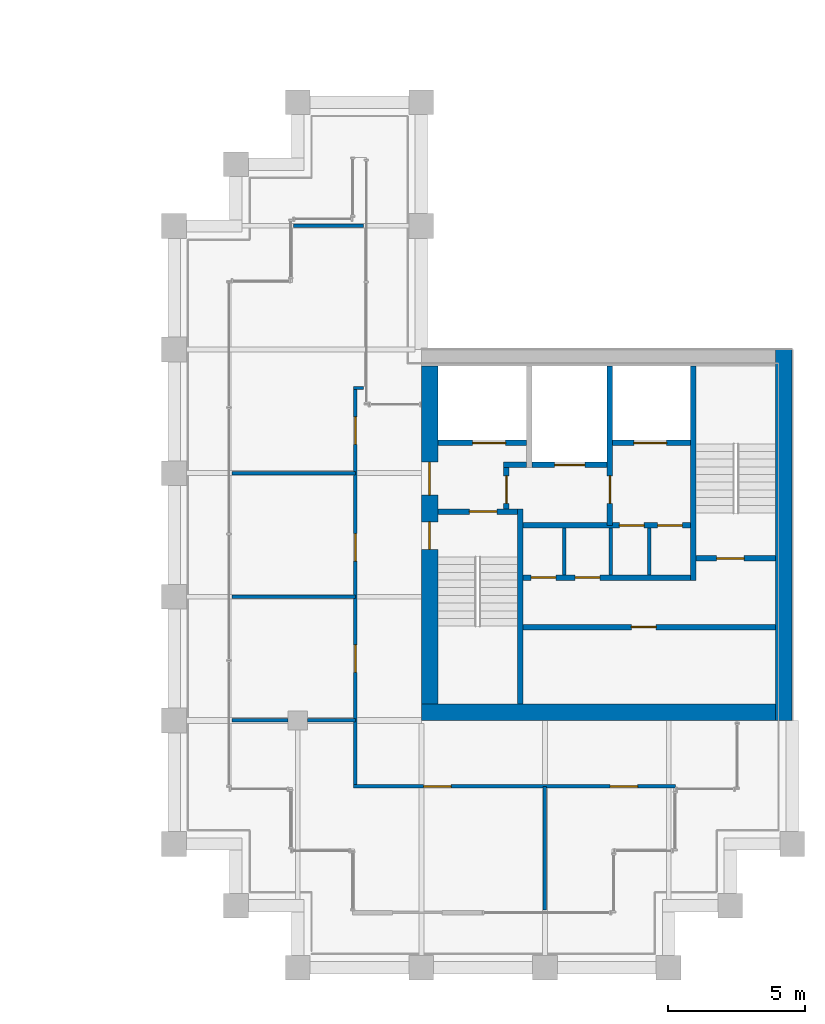
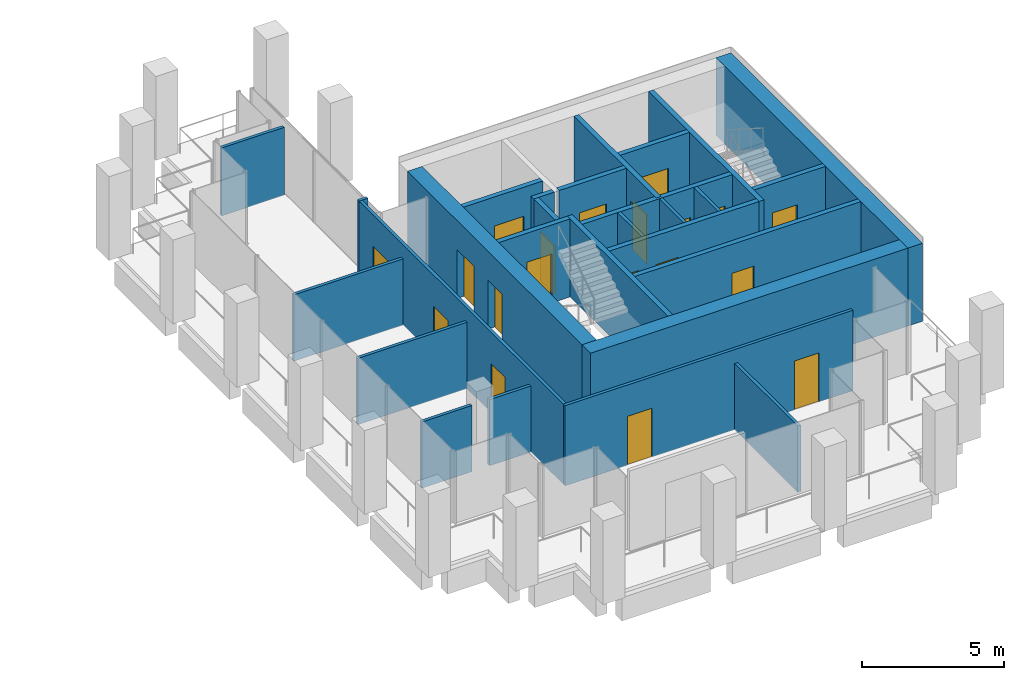
# One storey, part 38 of 40: 28 walls, 19 doors, 19 openings.
"""IFC4 building model written with IfcOpenShell, lengths in metres."""

from ifc_helpers import new_model, si_unit, direction, frame, frame_2d, origin, place, context, subcontext, project, spatial, rectangle, extrude, material, layer, layer_set, type_object, element, fill, save


model = new_model("IFC4")

# Units and contexts
model_context = context("Model", 3, precision=1e-05, world=origin(), true_north=direction((0.0, 1.0)))
body_context = subcontext(model_context, "Body", "Model", "MODEL_VIEW")
ifc_project = project(units=[si_unit("LENGTHUNIT", "METRE"), si_unit("AREAUNIT", "SQUARE_METRE"), si_unit("VOLUMEUNIT", "CUBIC_METRE"), si_unit("PLANEANGLEUNIT", "RADIAN"), si_unit("MASSUNIT", "GRAM", prefix="KILO")], contexts=[model_context])

# Site, building, storey
site_placement = place(None, origin())
site = spatial("IfcSite", under=ifc_project, at=site_placement, CompositionType="ELEMENT")
building_placement = place(site_placement, origin())
building = spatial("IfcBuilding", under=site, at=building_placement, Name="Altepetl Exchange Towers", CompositionType="ELEMENT")
storey_placement = place(building_placement, frame((0.0, 0.0, 176.199951171875)))
storey = spatial("IfcBuildingStorey", under=building, at=storey_placement, Name="L44", CompositionType="ELEMENT", Elevation=176.199951171875)

# Wall
ifc_material_1 = material(Name="Concrete C70/85", Category="concrete")
ifc_layer_1 = layer(ifc_material_1, 0.60009765625)
ifc_layer_set_1 = layer_set([ifc_layer_1], Name="Concrete C70/85")
wall_type_1 = type_object("IfcWallType", Name="Core wall 600 reinforced concrete", PredefinedType="SHEAR", material=ifc_layer_set_1)
wall_1_placement = place(storey_placement, frame((103.5, 36.300048828125, 0.0)))
element("IfcWall", 1, at=wall_1_placement, inside=storey, type_object=wall_type_1, Name="wall:B:L44:K-coreS", PredefinedType="SHEAR", context=body_context, shape_type="SweptSolid", body=[
    extrude(rectangle(XDim=12.89990234375, YDim=0.60009765625, at=frame_2d((6.449951171875, 0.0))), origin(), (0.0, 0.0, 1.0), 3.35009765625),
])

# Wall, openings, doors
wall_2_placement = place(storey_placement, frame((103.800048828125, 36.60009765625, 0.0), z_axis=(0.0, 0.0, 1.0), x_axis=(0.0, 1.0, 0.0)))
wall_2 = element("IfcWall", 2, at=wall_2_placement, inside=storey, type_object=wall_type_1, Name="wall:B:L44:K-coreW", PredefinedType="SHEAR", context=body_context, shape_type="SweptSolid", body=[
    extrude(rectangle(XDim=12.2998046875, YDim=0.60009765625, at=frame_2d((6.14990234375, 0.0))), origin(), (0.0, 0.0, 1.0), 3.35009765625),
])
opening_1_placement = place(wall_2_placement, frame((7.60009765625, 0.0, 0.0)))
opening_1 = element("IfcOpeningElement", 3, at=opening_1_placement, cuts=wall_2, Name="Opening L44.B60", PredefinedType="OPENING", context=body_context, shape_type="SweptSolid", body=[
    extrude(rectangle(XDim=1.199951171875, YDim=2.10009765625, at=frame_2d((0.60009765625, 1.050048828125))), frame((0.0, 0.31005859375, 0.0), z_axis=(0.0, -1.0, 0.0), x_axis=(1.0, 0.0, 0.0)), (0.0, 0.0, 1.0), 0.6201171875),
])
opening_2_placement = place(wall_2_placement, frame((5.625, 0.0, 0.0)))
opening_2 = element("IfcOpeningElement", 4, at=opening_2_placement, cuts=wall_2, Name="Opening L44.B62", PredefinedType="OPENING", context=body_context, shape_type="SweptSolid", body=[
    extrude(rectangle(XDim=1.0, YDim=2.10009765625, at=frame_2d((0.5, 1.050048828125))), frame((0.0, 0.31005859375, 0.0), z_axis=(0.0, -1.0, 0.0), x_axis=(1.0, 0.0, 0.0)), (0.0, 0.0, 1.0), 0.6201171875),
])
ifc_material_2 = material(Name="Steel and timber fire door", Category="steel")
door_type_1 = type_object("IfcDoorType", Name="Fire door 1000 x 2100 stair and lobby", OperationType="SINGLE_SWING_LEFT", PredefinedType="DOOR", material=ifc_material_2)
door_1_placement = place(opening_2_placement, frame((1.0, 0.0, 0.0), x_axis=(-1.0, 0.0, 0.0)))
door_1 = element("IfcDoor", 5, at=door_1_placement, inside=storey, type_object=door_type_1, Name="door:B:L44:K-dS1x", OperationType="SINGLE_SWING_RIGHT", OverallHeight=2.10009765625, OverallWidth=1.0, PredefinedType="DOOR", context=body_context, shape_type="SweptSolid", body=[
    extrude(rectangle(XDim=1.0, YDim=2.10009765625, at=frame_2d((0.5, 1.050048828125))), frame((0.0, 0.02490234375, 0.0), z_axis=(0.0, -1.0, 0.0), x_axis=(1.0, 0.0, 0.0)), (0.0, 0.0, 1.0), 0.050048828125),
])
fill(opening_2, door_1)
door_type_2 = type_object("IfcDoorType", Name="Fire door 1200 x 2100 lobby entry", OperationType="SINGLE_SWING_LEFT", PredefinedType="DOOR", material=ifc_material_2)
door_2_placement = place(opening_1_placement, frame((1.199951171875, 0.0, 0.0), x_axis=(-1.0, 0.0, 0.0)))
door_2 = element("IfcDoor", 6, at=door_2_placement, inside=storey, type_object=door_type_2, Name="door:B:L44:K-dLNW", OperationType="SINGLE_SWING_RIGHT", OverallHeight=2.10009765625, OverallWidth=1.199951171875, PredefinedType="DOOR", context=body_context, shape_type="SweptSolid", body=[
    extrude(rectangle(XDim=1.199951171875, YDim=2.10009765625, at=frame_2d((0.60009765625, 1.050048828125))), frame((0.0, 0.02490234375, 0.0), z_axis=(0.0, -1.0, 0.0), x_axis=(1.0, 0.0, 0.0)), (0.0, 0.0, 1.0), 0.050048828125),
])
fill(opening_1, door_2)

# Walls
ifc_layer_2 = layer(ifc_material_1, 0.60009765625)
ifc_layer_set_2 = layer_set([ifc_layer_2], Name="Concrete C70/85")
wall_type_2 = type_object("IfcWallType", Name="Core wall 600 reinforced concrete external", PredefinedType="SHEAR", material=ifc_layer_set_2)
wall_3_placement = place(storey_placement, frame((116.699951171875, 36.0, 0.0), z_axis=(0.0, 0.0, 1.0), x_axis=(0.0, 1.0, 0.0)))
element("IfcWall", 7, at=wall_3_placement, inside=storey, type_object=wall_type_2, Name="wall:B:L44:K-coreE", PredefinedType="SHEAR", context=body_context, shape_type="SweptSolid", body=[
    extrude(rectangle(XDim=13.5, YDim=0.60009765625, at=frame_2d((6.75, 0.0))), origin(), (0.0, 0.0, 1.0), 3.35009765625),
])
ifc_material_3 = material(Name="Concrete blockwork", Category="masonry")
ifc_layer_3 = layer(ifc_material_3, 0.199951171875)
ifc_layer_set_3 = layer_set([ifc_layer_3], Name="Concrete blockwork")
wall_type_3 = type_object("IfcWallType", Name="Lobby wall 200 blockwork", PredefinedType="PARTITIONING", material=ifc_layer_set_3)
wall_4_placement = place(storey_placement, frame((106.5, 45.300048828125, 0.0)))
element("IfcWall", 8, at=wall_4_placement, inside=storey, type_object=wall_type_3, Name="wall:B:L44:K-ffNw", PredefinedType="PARTITIONING", context=body_context, shape_type="SweptSolid", body=[
    extrude(rectangle(XDim=0.833251953125, YDim=0.199951171875, at=frame_2d((0.41650390625, 0.0))), origin(), (0.0, 0.0, 1.0), 3.35009765625),
])

# Wall, opening, door
wall_5_placement = place(storey_placement, frame((106.60009765625, 43.699951171875, 0.0), z_axis=(0.0, 0.0, 1.0), x_axis=(0.0, 1.0, 0.0)))
wall_5 = element("IfcWall", 9, at=wall_5_placement, inside=storey, type_object=wall_type_3, Name="wall:B:L44:K-ffW", PredefinedType="PARTITIONING", context=body_context, shape_type="SweptSolid", body=[
    extrude(rectangle(XDim=1.5, YDim=0.199951171875, at=frame_2d((0.75, 0.0))), origin(), (0.0, 0.0, 1.0), 3.35009765625),
])
opening_3_placement = place(wall_5_placement, frame((0.199951171875, 0.0, 0.0)))
opening_3 = element("IfcOpeningElement", 10, at=opening_3_placement, cuts=wall_5, Name="Opening L44.B65", PredefinedType="OPENING", context=body_context, shape_type="SweptSolid", body=[
    extrude(rectangle(XDim=1.0, YDim=2.10009765625, at=frame_2d((0.5, 1.050048828125))), frame((0.0, 0.10986328125, 0.0), z_axis=(0.0, -1.0, 0.0), x_axis=(1.0, 0.0, 0.0)), (0.0, 0.0, 1.0), 0.219970703125),
])
door_3_placement = place(opening_3_placement, frame((1.0, 0.0, 0.0), x_axis=(-1.0, 0.0, 0.0)))
door_3 = element("IfcDoor", 11, at=door_3_placement, inside=storey, type_object=door_type_1, Name="door:B:L44:K-dffW", OperationType="SINGLE_SWING_LEFT", OverallHeight=2.10009765625, OverallWidth=1.0, PredefinedType="DOOR", context=body_context, shape_type="SweptSolid", body=[
    extrude(rectangle(XDim=1.0, YDim=2.10009765625, at=frame_2d((0.5, 1.050048828125))), frame((0.0, 0.02490234375, 0.0), z_axis=(0.0, -1.0, 0.0), x_axis=(1.0, 0.0, 0.0)), (0.0, 0.0, 1.0), 0.050048828125),
])
fill(opening_3, door_3)

# Wall, openings, doors
wall_6_placement = place(storey_placement, frame((107.199951171875, 43.10009765625, 0.0)))
wall_6 = element("IfcWall", 12, at=wall_6_placement, inside=storey, type_object=wall_type_3, Name="wall:B:L44:K-zoneN", PredefinedType="PARTITIONING", context=body_context, shape_type="SweptSolid", body=[
    extrude(rectangle(XDim=6.10009765625, YDim=0.199951171875, at=frame_2d((3.050048828125, 0.0))), origin(), (0.0, 0.0, 1.0), 3.35009765625),
])
opening_4_placement = place(wall_6_placement, frame((3.508544921875, 0.0, 0.0)))
opening_4 = element("IfcOpeningElement", 13, at=opening_4_placement, cuts=wall_6, Name="Opening L44.B69", PredefinedType="OPENING", context=body_context, shape_type="SweptSolid", body=[
    extrude(rectangle(XDim=0.89990234375, YDim=2.10009765625, at=frame_2d((0.449951171875, 1.050048828125))), frame((0.0, 0.10986328125, 0.0), z_axis=(0.0, -1.0, 0.0), x_axis=(1.0, 0.0, 0.0)), (0.0, 0.0, 1.0), 0.219970703125),
])
opening_5_placement = place(wall_6_placement, frame((4.89990234375, 0.0, 0.0)))
opening_5 = element("IfcOpeningElement", 14, at=opening_5_placement, cuts=wall_6, Name="Opening L44.B70", PredefinedType="OPENING", context=body_context, shape_type="SweptSolid", body=[
    extrude(rectangle(XDim=0.89990234375, YDim=2.10009765625, at=frame_2d((0.449951171875, 1.050048828125))), frame((0.0, 0.10986328125, 0.0), z_axis=(0.0, -1.0, 0.0), x_axis=(1.0, 0.0, 0.0)), (0.0, 0.0, 1.0), 0.219970703125),
])
door_type_3 = type_object("IfcDoorType", Name="Fire door 900 x 2100 service room", OperationType="SINGLE_SWING_LEFT", PredefinedType="DOOR", material=ifc_material_2)
door_4_placement = place(opening_4_placement, frame((0.89990234375, 0.0, 0.0), x_axis=(-1.0, 0.0, 0.0)))
door_4 = element("IfcDoor", 15, at=door_4_placement, inside=storey, type_object=door_type_3, Name="door:B:L44:K-dz3", OperationType="SINGLE_SWING_RIGHT", OverallHeight=2.10009765625, OverallWidth=0.89990234375, PredefinedType="DOOR", context=body_context, shape_type="SweptSolid", body=[
    extrude(rectangle(XDim=0.89990234375, YDim=2.10009765625, at=frame_2d((0.449951171875, 1.050048828125))), frame((0.0, 0.02490234375, 0.0), z_axis=(0.0, -1.0, 0.0), x_axis=(1.0, 0.0, 0.0)), (0.0, 0.0, 1.0), 0.050048828125),
])
fill(opening_4, door_4)
door_5_placement = place(opening_5_placement, frame((0.89990234375, 0.0, 0.0), x_axis=(-1.0, 0.0, 0.0)))
door_5 = element("IfcDoor", 16, at=door_5_placement, inside=storey, type_object=door_type_3, Name="door:B:L44:K-dz4", OperationType="SINGLE_SWING_LEFT", OverallHeight=2.10009765625, OverallWidth=0.89990234375, PredefinedType="DOOR", context=body_context, shape_type="SweptSolid", body=[
    extrude(rectangle(XDim=0.89990234375, YDim=2.10009765625, at=frame_2d((0.449951171875, 1.050048828125))), frame((0.0, 0.02490234375, 0.0), z_axis=(0.0, -1.0, 0.0), x_axis=(1.0, 0.0, 0.0)), (0.0, 0.0, 1.0), 0.050048828125),
])
fill(opening_5, door_5)

wall_7_placement = place(storey_placement, frame((107.199951171875, 41.199951171875, 0.0)))
wall_7 = element("IfcWall", 17, at=wall_7_placement, inside=storey, type_object=wall_type_3, Name="wall:B:L44:K-zoneS", PredefinedType="PARTITIONING", context=body_context, shape_type="SweptSolid", body=[
    extrude(rectangle(XDim=6.10009765625, YDim=0.199951171875, at=frame_2d((3.050048828125, 0.0))), origin(), (0.0, 0.0, 1.0), 3.35009765625),
])
opening_6_placement = place(wall_7_placement, frame((0.300048828125, 0.0, 0.0)))
opening_6 = element("IfcOpeningElement", 18, at=opening_6_placement, cuts=wall_7, Name="Opening L44.B67", PredefinedType="OPENING", context=body_context, shape_type="SweptSolid", body=[
    extrude(rectangle(XDim=0.89990234375, YDim=2.10009765625, at=frame_2d((0.449951171875, 1.050048828125))), frame((0.0, 0.10986328125, 0.0), z_axis=(0.0, -1.0, 0.0), x_axis=(1.0, 0.0, 0.0)), (0.0, 0.0, 1.0), 0.219970703125),
])
opening_7_placement = place(wall_7_placement, frame((1.89990234375, 0.0, 0.0)))
opening_7 = element("IfcOpeningElement", 19, at=opening_7_placement, cuts=wall_7, Name="Opening L44.B68", PredefinedType="OPENING", context=body_context, shape_type="SweptSolid", body=[
    extrude(rectangle(XDim=0.89990234375, YDim=2.10009765625, at=frame_2d((0.449951171875, 1.050048828125))), frame((0.0, 0.10986328125, 0.0), z_axis=(0.0, -1.0, 0.0), x_axis=(1.0, 0.0, 0.0)), (0.0, 0.0, 1.0), 0.219970703125),
])
door_6_placement = place(opening_6_placement, origin())
door_6 = element("IfcDoor", 20, at=door_6_placement, inside=storey, type_object=door_type_3, Name="door:B:L44:K-dz1", OperationType="SINGLE_SWING_RIGHT", OverallHeight=2.10009765625, OverallWidth=0.89990234375, PredefinedType="DOOR", context=body_context, shape_type="SweptSolid", body=[
    extrude(rectangle(XDim=0.89990234375, YDim=2.10009765625, at=frame_2d((0.449951171875, 1.050048828125))), frame((0.0, 0.02490234375, 0.0), z_axis=(0.0, -1.0, 0.0), x_axis=(1.0, 0.0, 0.0)), (0.0, 0.0, 1.0), 0.050048828125),
])
fill(opening_6, door_6)
door_7_placement = place(opening_7_placement, origin())
door_7 = element("IfcDoor", 21, at=door_7_placement, inside=storey, type_object=door_type_3, Name="door:B:L44:K-dz2", OperationType="SINGLE_SWING_RIGHT", OverallHeight=2.10009765625, OverallWidth=0.89990234375, PredefinedType="DOOR", context=body_context, shape_type="SweptSolid", body=[
    extrude(rectangle(XDim=0.89990234375, YDim=2.10009765625, at=frame_2d((0.449951171875, 1.050048828125))), frame((0.0, 0.02490234375, 0.0), z_axis=(0.0, -1.0, 0.0), x_axis=(1.0, 0.0, 0.0)), (0.0, 0.0, 1.0), 0.050048828125),
])
fill(opening_7, door_7)

# Walls
ifc_material_4 = material(Name="Gypsum board on steel studs", Category="steel")
ifc_layer_4 = layer(ifc_material_4, 0.125)
ifc_layer_set_4 = layer_set([ifc_layer_4], Name="Gypsum board on steel studs")
wall_type_4 = type_object("IfcWallType", Name="Partition 125 gypsum board on steel studs", PredefinedType="PARTITIONING", material=ifc_layer_set_4)
for number, where, z_axis, x_axis, name in (
    (22, (108.699951171875, 41.300048828125, 0.0), (0.0, 0.0, 1.0), (0.0, 1.0, 0.0), "wall:B:L44:K-zp1"),
    (23, (110.39990234375, 41.300048828125, 0.0), (0.0, 0.0, 1.0), (0.0, 1.0, 0.0), "wall:B:L44:K-zp2"),
    (24, (111.800048828125, 41.300048828125, 0.0), (0.0, 0.0, 1.0), (0.0, 1.0, 0.0), "wall:B:L44:K-zp3"),
):
    element("IfcWall", number, at=place(storey_placement, frame(where, z_axis=z_axis, x_axis=x_axis)), inside=storey, type_object=wall_type_4, Name=name, PredefinedType="PARTITIONING", context=body_context, shape_type="SweptSolid", body=[
        extrude(rectangle(XDim=1.699951171875, YDim=0.125, at=frame_2d((0.85009765625, 0.0))), origin(), (0.0, 0.0, 1.0), 3.35009765625),
    ])

# Wall, openings, doors
wall_8_placement = place(storey_placement, frame((101.03759765625, 33.60009765625, 0.0)))
wall_8 = element("IfcWall", 25, at=wall_8_placement, inside=storey, type_object=wall_type_4, Name="wall:B:L44:P01", PredefinedType="PARTITIONING", context=body_context, shape_type="SweptSolid", body=[
    extrude(rectangle(XDim=11.71240234375, YDim=0.125, at=frame_2d((5.856201171875, 0.0))), origin(), (0.0, 0.0, 1.0), 3.449951171875),
])
opening_8_placement = place(wall_8_placement, frame((2.54248046875, 0.0, 0.0)))
opening_8 = element("IfcOpeningElement", 26, at=opening_8_placement, cuts=wall_8, Name="Opening L44.B02", PredefinedType="OPENING", context=body_context, shape_type="SweptSolid", body=[
    extrude(rectangle(XDim=1.0, YDim=2.10009765625, at=frame_2d((0.5, 1.050048828125))), frame((0.0, 0.072509765625, 0.0), z_axis=(0.0, -1.0, 0.0), x_axis=(1.0, 0.0, 0.0)), (0.0, 0.0, 1.0), 0.14501953125),
])
opening_9_placement = place(wall_8_placement, frame((9.33642578125, 0.0, 0.0)))
opening_9 = element("IfcOpeningElement", 27, at=opening_9_placement, cuts=wall_8, Name="Opening L44.B03", PredefinedType="OPENING", context=body_context, shape_type="SweptSolid", body=[
    extrude(rectangle(XDim=1.0, YDim=2.10009765625, at=frame_2d((0.5, 1.050048828125))), frame((0.0, 0.072509765625, 0.0), z_axis=(0.0, -1.0, 0.0), x_axis=(1.0, 0.0, 0.0)), (0.0, 0.0, 1.0), 0.14501953125),
])
door_type_4 = type_object("IfcDoorType", Name="Fire door 1000 x 2100 single leaf", OperationType="SINGLE_SWING_LEFT", PredefinedType="DOOR", material=ifc_material_2)
door_8_placement = place(opening_8_placement, frame((1.0, 0.0, 0.0), x_axis=(-1.0, 0.0, 0.0)))
door_8 = element("IfcDoor", 28, at=door_8_placement, inside=storey, type_object=door_type_4, Name="door:B:L44:02", OperationType="SINGLE_SWING_LEFT", OverallHeight=2.10009765625, OverallWidth=1.0, PredefinedType="DOOR", context=body_context, shape_type="SweptSolid", body=[
    extrude(rectangle(XDim=1.0, YDim=2.10009765625, at=frame_2d((0.5, 1.050048828125))), frame((0.0, 0.02490234375, 0.0), z_axis=(0.0, -1.0, 0.0), x_axis=(1.0, 0.0, 0.0)), (0.0, 0.0, 1.0), 0.050048828125),
])
fill(opening_8, door_8)
door_9_placement = place(opening_9_placement, frame((1.0, 0.0, 0.0), x_axis=(-1.0, 0.0, 0.0)))
door_9 = element("IfcDoor", 29, at=door_9_placement, inside=storey, type_object=door_type_4, Name="door:B:L44:03", OperationType="SINGLE_SWING_LEFT", OverallHeight=2.10009765625, OverallWidth=1.0, PredefinedType="DOOR", context=body_context, shape_type="SweptSolid", body=[
    extrude(rectangle(XDim=1.0, YDim=2.10009765625, at=frame_2d((0.5, 1.050048828125))), frame((0.0, 0.02490234375, 0.0), z_axis=(0.0, -1.0, 0.0), x_axis=(1.0, 0.0, 0.0)), (0.0, 0.0, 1.0), 0.050048828125),
])
fill(opening_9, door_9)

# Walls
wall_9_placement = place(storey_placement, frame((96.60009765625, 36.0, 0.0)))
element("IfcWall", 30, at=wall_9_placement, inside=storey, type_object=wall_type_4, Name="wall:B:L44:P02", PredefinedType="PARTITIONING", context=body_context, shape_type="SweptSolid", body=[
    extrude(rectangle(XDim=2.0498046875, YDim=0.125, at=frame_2d((1.02490234375, 0.0))), origin(), (0.0, 0.0, 1.0), 2.842041015625),
])
wall_10_placement = place(storey_placement, frame((99.35009765625, 36.0, 0.0)))
element("IfcWall", 31, at=wall_10_placement, inside=storey, type_object=wall_type_4, Name="wall:B:L44:P03", PredefinedType="PARTITIONING", context=body_context, shape_type="SweptSolid", body=[
    extrude(rectangle(XDim=1.75, YDim=0.125, at=frame_2d((0.875, 0.0))), origin(), (0.0, 0.0, 1.0), 2.842041015625),
])
for number, where, name in (
    (32, (96.60009765625, 40.5, 0.0), "wall:B:L44:P04"),
    (33, (96.60009765625, 45.0, 0.0), "wall:B:L44:P05"),
):
    element("IfcWall", number, at=place(storey_placement, frame(where)), inside=storey, type_object=wall_type_4, Name=name, PredefinedType="PARTITIONING", context=body_context, shape_type="SweptSolid", body=[
        extrude(rectangle(XDim=4.5, YDim=0.125, at=frame_2d((2.25, 0.0))), origin(), (0.0, 0.0, 1.0), 2.85107421875),
    ])
wall_11_placement = place(storey_placement, frame((101.03759765625, 48.10009765625, 0.0)))
element("IfcWall", 34, at=wall_11_placement, inside=storey, type_object=wall_type_4, Name="wall:B:L44:P06", PredefinedType="PARTITIONING", context=body_context, shape_type="SweptSolid", body=[
    extrude(rectangle(XDim=0.3623046875, YDim=0.125, at=frame_2d((0.18115234375, 0.0))), origin(), (0.0, 0.0, 1.0), 3.449951171875),
])
wall_12_placement = place(storey_placement, frame((98.85009765625, 54.0, 0.0)))
element("IfcWall", 35, at=wall_12_placement, inside=storey, type_object=wall_type_4, Name="wall:B:L44:P07", PredefinedType="PARTITIONING", context=body_context, shape_type="SweptSolid", body=[
    extrude(rectangle(XDim=2.5498046875, YDim=0.125, at=frame_2d((1.27490234375, 0.0))), origin(), (0.0, 0.0, 1.0), 2.921142578125),
])

# Wall, openings, doors
wall_13_placement = place(storey_placement, frame((101.10009765625, 33.66259765625, 0.0), z_axis=(0.0, 0.0, 1.0), x_axis=(0.0, 1.0, 0.0)))
wall_13 = element("IfcWall", 36, at=wall_13_placement, inside=storey, type_object=wall_type_4, Name="wall:B:L44:P08", PredefinedType="PARTITIONING", context=body_context, shape_type="SweptSolid", body=[
    extrude(rectangle(XDim=14.375, YDim=0.125, at=frame_2d((7.1875, 0.0))), origin(), (0.0, 0.0, 1.0), 3.449951171875),
])
opening_10_placement = place(wall_13_placement, frame((4.08740234375, 0.0, 0.0)))
opening_10 = element("IfcOpeningElement", 37, at=opening_10_placement, cuts=wall_13, Name="Opening L44.B01", PredefinedType="OPENING", context=body_context, shape_type="SweptSolid", body=[
    extrude(rectangle(XDim=1.0, YDim=2.10009765625, at=frame_2d((0.5, 1.050048828125))), frame((0.0, 0.072509765625, 0.0), z_axis=(0.0, -1.0, 0.0), x_axis=(1.0, 0.0, 0.0)), (0.0, 0.0, 1.0), 0.14501953125),
])
opening_11_placement = place(wall_13_placement, frame((12.387451171875, 0.0, 0.0)))
opening_11 = element("IfcOpeningElement", 38, at=opening_11_placement, cuts=wall_13, Name="Opening L44.B04", PredefinedType="OPENING", context=body_context, shape_type="SweptSolid", body=[
    extrude(rectangle(XDim=1.0, YDim=2.10009765625, at=frame_2d((0.5, 1.050048828125))), frame((0.0, 0.072509765625, 0.0), z_axis=(0.0, -1.0, 0.0), x_axis=(1.0, 0.0, 0.0)), (0.0, 0.0, 1.0), 0.14501953125),
])
opening_12_placement = place(wall_13_placement, frame((8.132568359375, 0.0, 0.0)))
opening_12 = element("IfcOpeningElement", 39, at=opening_12_placement, cuts=wall_13, Name="Opening L44.B05", PredefinedType="OPENING", context=body_context, shape_type="SweptSolid", body=[
    extrude(rectangle(XDim=1.0, YDim=2.10009765625, at=frame_2d((0.5, 1.050048828125))), frame((0.0, 0.072509765625, 0.0), z_axis=(0.0, -1.0, 0.0), x_axis=(1.0, 0.0, 0.0)), (0.0, 0.0, 1.0), 0.14501953125),
])
door_10_placement = place(opening_10_placement, origin())
door_10 = element("IfcDoor", 40, at=door_10_placement, inside=storey, type_object=door_type_4, Name="door:B:L44:01", OperationType="SINGLE_SWING_RIGHT", OverallHeight=2.10009765625, OverallWidth=1.0, PredefinedType="DOOR", context=body_context, shape_type="SweptSolid", body=[
    extrude(rectangle(XDim=1.0, YDim=2.10009765625, at=frame_2d((0.5, 1.050048828125))), frame((0.0, 0.02490234375, 0.0), z_axis=(0.0, -1.0, 0.0), x_axis=(1.0, 0.0, 0.0)), (0.0, 0.0, 1.0), 0.050048828125),
])
fill(opening_10, door_10)
door_11_placement = place(opening_11_placement, origin())
door_11 = element("IfcDoor", 41, at=door_11_placement, inside=storey, type_object=door_type_4, Name="door:B:L44:04", OperationType="SINGLE_SWING_LEFT", OverallHeight=2.10009765625, OverallWidth=1.0, PredefinedType="DOOR", context=body_context, shape_type="SweptSolid", body=[
    extrude(rectangle(XDim=1.0, YDim=2.10009765625, at=frame_2d((0.5, 1.050048828125))), frame((0.0, 0.02490234375, 0.0), z_axis=(0.0, -1.0, 0.0), x_axis=(1.0, 0.0, 0.0)), (0.0, 0.0, 1.0), 0.050048828125),
])
fill(opening_11, door_11)
door_12_placement = place(opening_12_placement, origin())
door_12 = element("IfcDoor", 42, at=door_12_placement, inside=storey, type_object=door_type_4, Name="door:B:L44:05", OperationType="SINGLE_SWING_RIGHT", OverallHeight=2.10009765625, OverallWidth=1.0, PredefinedType="DOOR", context=body_context, shape_type="SweptSolid", body=[
    extrude(rectangle(XDim=1.0, YDim=2.10009765625, at=frame_2d((0.5, 1.050048828125))), frame((0.0, 0.02490234375, 0.0), z_axis=(0.0, -1.0, 0.0), x_axis=(1.0, 0.0, 0.0)), (0.0, 0.0, 1.0), 0.050048828125),
])
fill(opening_12, door_12)

# Wall
wall_14_placement = place(storey_placement, frame((108.0, 29.10009765625, 0.0), z_axis=(0.0, 0.0, 1.0), x_axis=(0.0, 1.0, 0.0)))
element("IfcWall", 43, at=wall_14_placement, inside=storey, type_object=wall_type_4, Name="wall:B:L44:P09", PredefinedType="PARTITIONING", context=body_context, shape_type="SweptSolid", body=[
    extrude(rectangle(XDim=4.5, YDim=0.125, at=frame_2d((2.25, 0.0))), origin(), (0.0, 0.0, 1.0), 2.85107421875),
])

# Wall, opening, door
ifc_material_5 = material(Name="Concrete C40/50", Category="concrete")
ifc_layer_5 = layer(ifc_material_5, 0.199951171875)
ifc_layer_set_5 = layer_set([ifc_layer_5], Name="Concrete C40/50")
wall_type_5 = type_object("IfcWallType", Name="Shaft wall 200 reinforced concrete", PredefinedType="SHEAR", material=ifc_layer_set_5)
wall_15_placement = place(storey_placement, frame((110.36669921875, 48.89990234375, 0.0), z_axis=(0.0, 0.0, 1.0), x_axis=(0.0, -1.0, 0.0)))
wall_15 = element("IfcWall", 44, at=wall_15_placement, inside=storey, type_object=wall_type_5, Name="wall:B:L44:K-divN2", PredefinedType="SHEAR", context=body_context, shape_type="SweptSolid", body=[
    extrude(rectangle(XDim=5.7998046875, YDim=0.199951171875, at=frame_2d((2.89990234375, 0.0))), origin(), (0.0, 0.0, 1.0), 3.35009765625),
])
opening_13_placement = place(wall_15_placement, frame((4.0, 0.0, 0.0)))
opening_13 = element("IfcOpeningElement", 45, at=opening_13_placement, cuts=wall_15, Name="Opening L44.B64", PredefinedType="OPENING", context=body_context, shape_type="SweptSolid", body=[
    extrude(rectangle(XDim=1.0, YDim=2.10009765625, at=frame_2d((0.5, 1.050048828125))), frame((0.0, 0.10986328125, 0.0), z_axis=(0.0, -1.0, 0.0), x_axis=(1.0, 0.0, 0.0)), (0.0, 0.0, 1.0), 0.219970703125),
])
door_13_placement = place(opening_13_placement, frame((1.0, 0.0, 0.0), x_axis=(-1.0, 0.0, 0.0)))
door_13 = element("IfcDoor", 46, at=door_13_placement, inside=storey, type_object=door_type_1, Name="door:B:L44:K-dffE", OperationType="SINGLE_SWING_RIGHT", OverallHeight=2.10009765625, OverallWidth=1.0, PredefinedType="DOOR", context=body_context, shape_type="SweptSolid", body=[
    extrude(rectangle(XDim=1.0, YDim=2.10009765625, at=frame_2d((0.5, 1.050048828125))), frame((0.0, 0.02490234375, 0.0), z_axis=(0.0, -1.0, 0.0), x_axis=(1.0, 0.0, 0.0)), (0.0, 0.0, 1.0), 0.050048828125),
])
fill(opening_13, door_13)

wall_16_placement = place(storey_placement, frame((104.10009765625, 46.10009765625, 0.0)))
wall_16 = element("IfcWall", 47, at=wall_16_placement, inside=storey, type_object=wall_type_5, Name="wall:B:L44:K-frontNa", PredefinedType="SHEAR", context=body_context, shape_type="SweptSolid", body=[
    extrude(rectangle(XDim=3.233154296875, YDim=0.199951171875, at=frame_2d((1.61669921875, 0.0))), origin(), (0.0, 0.0, 1.0), 3.35009765625),
])
opening_14_placement = place(wall_16_placement, frame((1.2666015625, 0.0, 0.0)))
opening_14 = element("IfcOpeningElement", 48, at=opening_14_placement, cuts=wall_16, Name="Opening L44.B72", PredefinedType="OPENING", context=body_context, shape_type="SweptSolid", body=[
    extrude(rectangle(XDim=1.199951171875, YDim=2.10009765625, at=frame_2d((0.60009765625, 1.050048828125))), frame((0.0, 0.10986328125, 0.0), z_axis=(0.0, -1.0, 0.0), x_axis=(1.0, 0.0, 0.0)), (0.0, 0.0, 1.0), 0.219970703125),
])
ifc_material_6 = material(Name="Stainless steel", Category="steel")
door_type_5 = type_object("IfcDoorType", Name="Lift landing door 1200 x 2100", OperationType="SLIDING_TO_LEFT", PredefinedType="DOOR", material=ifc_material_6)
door_14_placement = place(opening_14_placement, origin())
door_14 = element("IfcDoor", 49, at=door_14_placement, inside=storey, type_object=door_type_5, Name="Landing door P4", OperationType="SLIDING_TO_LEFT", OverallHeight=2.10009765625, OverallWidth=1.199951171875, PredefinedType="DOOR", context=body_context, shape_type="SweptSolid", body=[
    extrude(rectangle(XDim=1.199951171875, YDim=2.10009765625, at=frame_2d((0.60009765625, 1.050048828125))), frame((0.0, 0.02490234375, 0.0), z_axis=(0.0, -1.0, 0.0), x_axis=(1.0, 0.0, 0.0)), (0.0, 0.0, 1.0), 0.050048828125),
])
fill(opening_14, door_14)

wall_17_placement = place(storey_placement, frame((110.466796875, 46.10009765625, 0.0)))
wall_17 = element("IfcWall", 50, at=wall_17_placement, inside=storey, type_object=wall_type_5, Name="wall:B:L44:K-frontNb", PredefinedType="SHEAR", context=body_context, shape_type="SweptSolid", body=[
    extrude(rectangle(XDim=2.833251953125, YDim=0.199951171875, at=frame_2d((1.41650390625, 0.0))), origin(), (0.0, 0.0, 1.0), 3.35009765625),
])
opening_15_placement = place(wall_17_placement, frame((0.7666015625, 0.0, 0.0)))
opening_15 = element("IfcOpeningElement", 51, at=opening_15_placement, cuts=wall_17, Name="Opening L44.B73", PredefinedType="OPENING", context=body_context, shape_type="SweptSolid", body=[
    extrude(rectangle(XDim=1.199951171875, YDim=2.10009765625, at=frame_2d((0.60009765625, 1.050048828125))), frame((0.0, 0.10986328125, 0.0), z_axis=(0.0, -1.0, 0.0), x_axis=(1.0, 0.0, 0.0)), (0.0, 0.0, 1.0), 0.219970703125),
])
door_15_placement = place(opening_15_placement, origin())
door_15 = element("IfcDoor", 52, at=door_15_placement, inside=storey, type_object=door_type_5, Name="Landing door P5", OperationType="SLIDING_TO_LEFT", OverallHeight=2.10009765625, OverallWidth=1.199951171875, PredefinedType="DOOR", context=body_context, shape_type="SweptSolid", body=[
    extrude(rectangle(XDim=1.199951171875, YDim=2.10009765625, at=frame_2d((0.60009765625, 1.050048828125))), frame((0.0, 0.02490234375, 0.0), z_axis=(0.0, -1.0, 0.0), x_axis=(1.0, 0.0, 0.0)), (0.0, 0.0, 1.0), 0.050048828125),
])
fill(opening_15, door_15)

wall_18_placement = place(storey_placement, frame((107.533203125, 45.300048828125, 0.0)))
wall_18 = element("IfcWall", 53, at=wall_18_placement, inside=storey, type_object=wall_type_5, Name="wall:B:L44:K-frontNd", PredefinedType="SHEAR", context=body_context, shape_type="SweptSolid", body=[
    extrude(rectangle(XDim=2.7333984375, YDim=0.199951171875, at=frame_2d((1.36669921875, 0.0))), origin(), (0.0, 0.0, 1.0), 3.35009765625),
])
opening_16_placement = place(wall_18_placement, frame((0.816650390625, 0.0, 0.0)))
opening_16 = element("IfcOpeningElement", 54, at=opening_16_placement, cuts=wall_18, Name="Opening L44.B71", PredefinedType="OPENING", context=body_context, shape_type="SweptSolid", body=[
    extrude(rectangle(XDim=1.10009765625, YDim=2.10009765625, at=frame_2d((0.550048828125, 1.050048828125))), frame((0.0, 0.10986328125, 0.0), z_axis=(0.0, -1.0, 0.0), x_axis=(1.0, 0.0, 0.0)), (0.0, 0.0, 1.0), 0.219970703125),
])
door_type_6 = type_object("IfcDoorType", Name="Lift landing door 1100 x 2100", OperationType="SLIDING_TO_LEFT", PredefinedType="DOOR", material=ifc_material_6)
door_16_placement = place(opening_16_placement, origin())
door_16 = element("IfcDoor", 55, at=door_16_placement, inside=storey, type_object=door_type_6, Name="Landing door FFL1", OperationType="SLIDING_TO_LEFT", OverallHeight=2.10009765625, OverallWidth=1.10009765625, PredefinedType="DOOR", context=body_context, shape_type="SweptSolid", body=[
    extrude(rectangle(XDim=1.10009765625, YDim=2.10009765625, at=frame_2d((0.550048828125, 1.050048828125))), frame((0.0, 0.02490234375, 0.0), z_axis=(0.0, -1.0, 0.0), x_axis=(1.0, 0.0, 0.0)), (0.0, 0.0, 1.0), 0.050048828125),
])
fill(opening_16, door_16)

wall_19_placement = place(storey_placement, frame((107.199951171875, 39.39990234375, 0.0)))
wall_19 = element("IfcWall", 56, at=wall_19_placement, inside=storey, type_object=wall_type_5, Name="wall:B:L44:K-frontS", PredefinedType="SHEAR", context=body_context, shape_type="SweptSolid", body=[
    extrude(rectangle(XDim=9.199951171875, YDim=0.199951171875, at=frame_2d((4.60009765625, 0.0))), origin(), (0.0, 0.0, 1.0), 3.35009765625),
])
opening_17_placement = place(wall_19_placement, frame((3.949951171875, 0.0, 0.0)))
opening_17 = element("IfcOpeningElement", 57, at=opening_17_placement, cuts=wall_19, Name="Opening L44.B66", PredefinedType="OPENING", context=body_context, shape_type="SweptSolid", body=[
    extrude(rectangle(XDim=0.89990234375, YDim=2.10009765625, at=frame_2d((0.449951171875, 1.050048828125))), frame((0.0, 0.10986328125, 0.0), z_axis=(0.0, -1.0, 0.0), x_axis=(1.0, 0.0, 0.0)), (0.0, 0.0, 1.0), 0.219970703125),
])
door_17_placement = place(opening_17_placement, frame((0.89990234375, 0.0, 0.0), x_axis=(-1.0, 0.0, 0.0)))
door_17 = element("IfcDoor", 58, at=door_17_placement, inside=storey, type_object=door_type_3, Name="door:B:L44:K-dslotS0", OperationType="SINGLE_SWING_LEFT", OverallHeight=2.10009765625, OverallWidth=0.89990234375, PredefinedType="DOOR", context=body_context, shape_type="SweptSolid", body=[
    extrude(rectangle(XDim=0.89990234375, YDim=2.10009765625, at=frame_2d((0.449951171875, 1.050048828125))), frame((0.0, 0.02490234375, 0.0), z_axis=(0.0, -1.0, 0.0), x_axis=(1.0, 0.0, 0.0)), (0.0, 0.0, 1.0), 0.050048828125),
])
fill(opening_17, door_17)

# Wall
ifc_layer_6 = layer(ifc_material_5, 0.199951171875)
ifc_layer_set_6 = layer_set([ifc_layer_6], Name="Concrete C40/50")
wall_type_6 = type_object("IfcWallType", Name="Stair wall 200 reinforced concrete", PredefinedType="SHEAR", material=ifc_layer_set_6)
wall_20_placement = place(storey_placement, frame((107.10009765625, 36.60009765625, 0.0), z_axis=(0.0, 0.0, 1.0), x_axis=(0.0, 1.0, 0.0)))
element("IfcWall", 59, at=wall_20_placement, inside=storey, type_object=wall_type_6, Name="wall:B:L44:K-stS1E", PredefinedType="SHEAR", context=body_context, shape_type="SweptSolid", body=[
    extrude(rectangle(XDim=7.099853515625, YDim=0.199951171875, at=frame_2d((3.5498046875, 0.0))), origin(), (0.0, 0.0, 1.0), 3.35009765625),
])

# Wall, opening, door
wall_21_placement = place(storey_placement, frame((104.10009765625, 43.60009765625, 0.0)))
wall_21 = element("IfcWall", 60, at=wall_21_placement, inside=storey, type_object=wall_type_6, Name="wall:B:L44:K-stS1N", PredefinedType="SHEAR", context=body_context, shape_type="SweptSolid", body=[
    extrude(rectangle(XDim=2.89990234375, YDim=0.199951171875, at=frame_2d((1.449951171875, 0.0))), origin(), (0.0, 0.0, 1.0), 3.35009765625),
])
opening_18_placement = place(wall_21_placement, frame((1.14990234375, 0.0, 0.0)))
opening_18 = element("IfcOpeningElement", 61, at=opening_18_placement, cuts=wall_21, Name="Opening L44.B61", PredefinedType="OPENING", context=body_context, shape_type="SweptSolid", body=[
    extrude(rectangle(XDim=1.0, YDim=2.10009765625, at=frame_2d((0.5, 1.050048828125))), frame((0.0, 0.10986328125, 0.0), z_axis=(0.0, -1.0, 0.0), x_axis=(1.0, 0.0, 0.0)), (0.0, 0.0, 1.0), 0.219970703125),
])
door_18_placement = place(opening_18_placement, frame((1.0, 0.0, 0.0), x_axis=(-1.0, 0.0, 0.0)))
door_18 = element("IfcDoor", 62, at=door_18_placement, inside=storey, type_object=door_type_1, Name="door:B:L44:K-dS1in", OperationType="SINGLE_SWING_LEFT", OverallHeight=2.10009765625, OverallWidth=1.0, PredefinedType="DOOR", context=body_context, shape_type="SweptSolid", body=[
    extrude(rectangle(XDim=1.0, YDim=2.10009765625, at=frame_2d((0.5, 1.050048828125))), frame((0.0, 0.02490234375, 0.0), z_axis=(0.0, -1.0, 0.0), x_axis=(1.0, 0.0, 0.0)), (0.0, 0.0, 1.0), 0.050048828125),
])
fill(opening_18, door_18)

wall_22_placement = place(storey_placement, frame((113.5, 41.89990234375, 0.0)))
wall_22 = element("IfcWall", 63, at=wall_22_placement, inside=storey, type_object=wall_type_6, Name="wall:B:L44:K-stS2S", PredefinedType="SHEAR", context=body_context, shape_type="SweptSolid", body=[
    extrude(rectangle(XDim=2.89990234375, YDim=0.199951171875, at=frame_2d((1.449951171875, 0.0))), origin(), (0.0, 0.0, 1.0), 3.35009765625),
])
opening_19_placement = place(wall_22_placement, frame((0.75, 0.0, 0.0)))
opening_19 = element("IfcOpeningElement", 64, at=opening_19_placement, cuts=wall_22, Name="Opening L44.B63", PredefinedType="OPENING", context=body_context, shape_type="SweptSolid", body=[
    extrude(rectangle(XDim=1.0, YDim=2.10009765625, at=frame_2d((0.5, 1.050048828125))), frame((0.0, 0.10986328125, 0.0), z_axis=(0.0, -1.0, 0.0), x_axis=(1.0, 0.0, 0.0)), (0.0, 0.0, 1.0), 0.219970703125),
])
door_19_placement = place(opening_19_placement, origin())
door_19 = element("IfcDoor", 65, at=door_19_placement, inside=storey, type_object=door_type_1, Name="door:B:L44:K-dS2in", OperationType="SINGLE_SWING_RIGHT", OverallHeight=2.10009765625, OverallWidth=1.0, PredefinedType="DOOR", context=body_context, shape_type="SweptSolid", body=[
    extrude(rectangle(XDim=1.0, YDim=2.10009765625, at=frame_2d((0.5, 1.050048828125))), frame((0.0, 0.02490234375, 0.0), z_axis=(0.0, -1.0, 0.0), x_axis=(1.0, 0.0, 0.0)), (0.0, 0.0, 1.0), 0.050048828125),
])
fill(opening_19, door_19)

# Wall
wall_23_placement = place(storey_placement, frame((113.39990234375, 41.10009765625, 0.0), z_axis=(0.0, 0.0, 1.0), x_axis=(0.0, 1.0, 0.0)))
element("IfcWall", 66, at=wall_23_placement, inside=storey, type_object=wall_type_6, Name="wall:B:L44:K-stS2W", PredefinedType="SHEAR", context=body_context, shape_type="SweptSolid", body=[
    extrude(rectangle(XDim=7.7998046875, YDim=0.199951171875, at=frame_2d((3.89990234375, 0.0))), origin(), (0.0, 0.0, 1.0), 3.35009765625),
])

save(model, "model.ifc")
